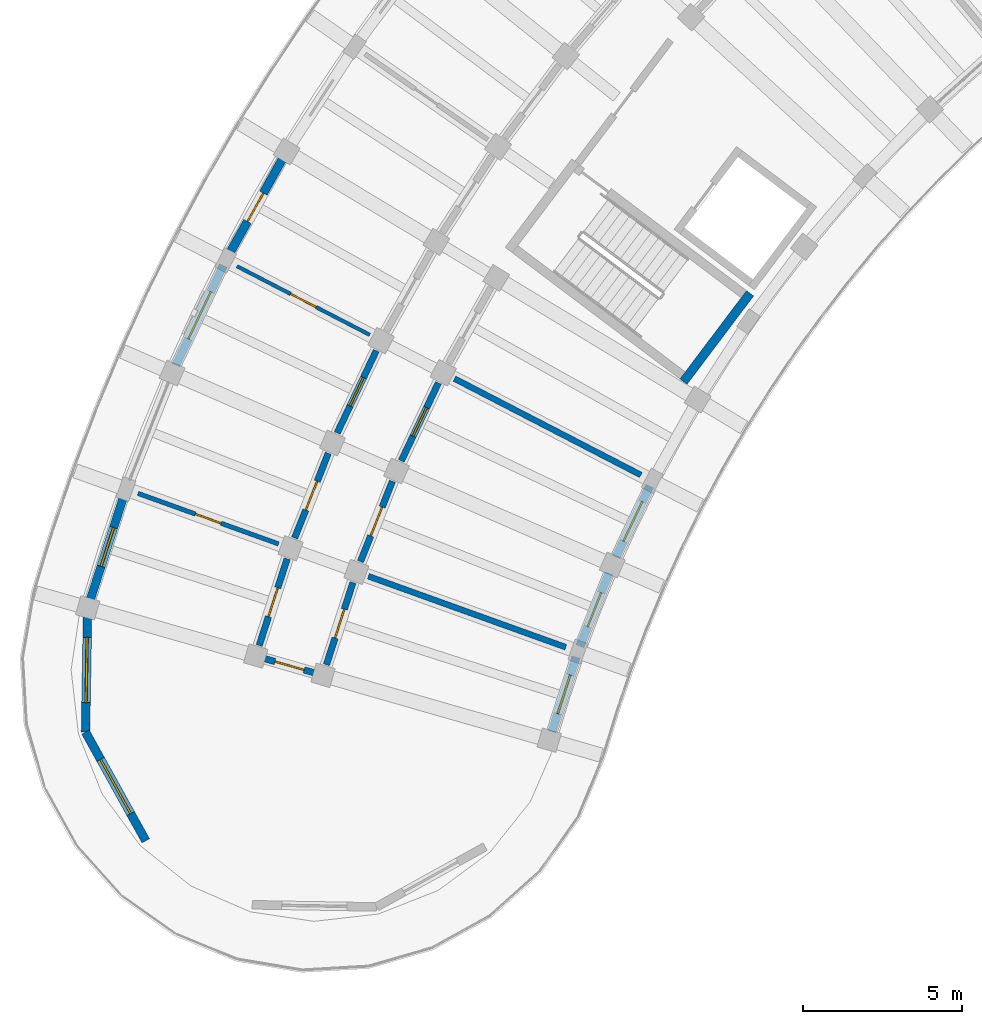
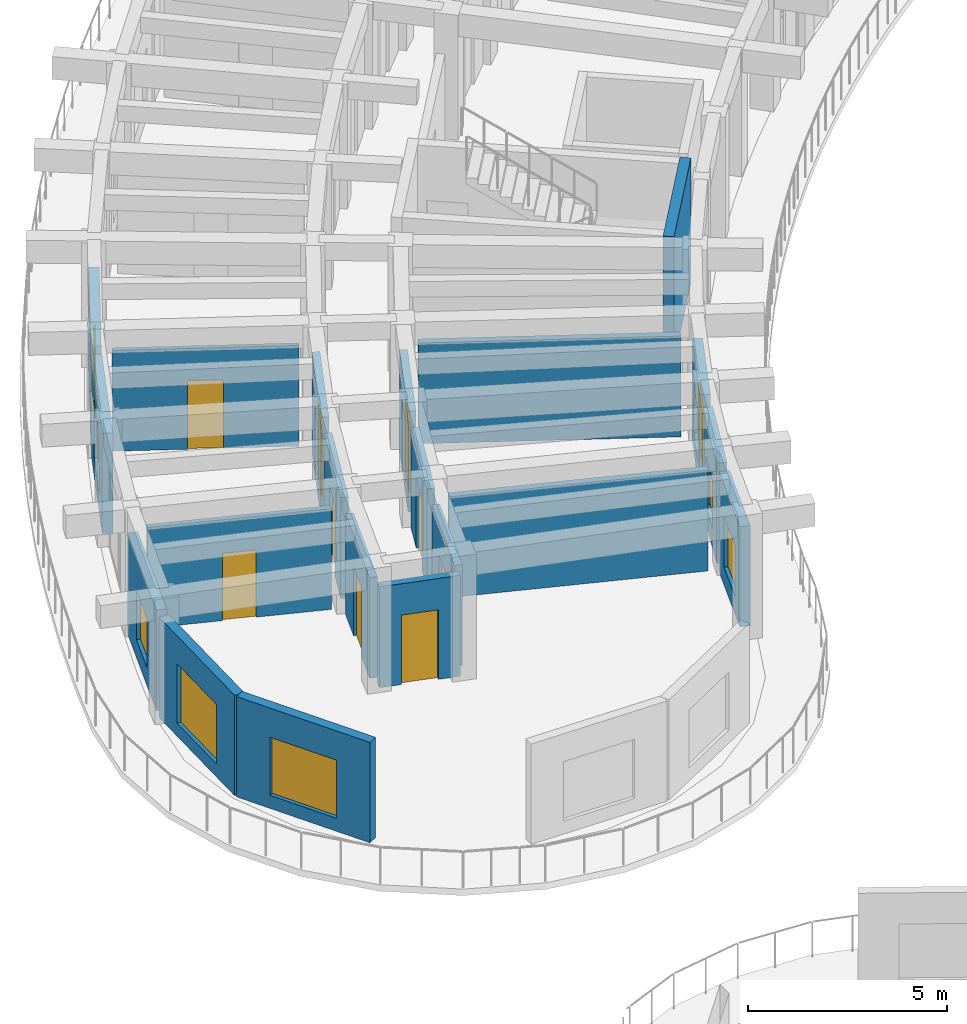
# One storey, part 87 of 128: 20 walls, 10 doors, 7 windows, 17 openings.
"""IFC4 building model written with IfcOpenShell, lengths in metres."""

from ifc_helpers import new_model, si_unit, direction, frame, frame_2d, origin, place, context, subcontext, project, spatial, rectangle, extrude, material, layer, layer_set, type_object, element, fill, save


model = new_model("IFC4")

# Units and contexts
model_context = context("Model", 3, precision=1e-05, world=origin(), true_north=direction((0.0, 1.0)))
body_context = subcontext(model_context, "Body", "Model", "MODEL_VIEW")
ifc_project = project(units=[si_unit("LENGTHUNIT", "METRE"), si_unit("AREAUNIT", "SQUARE_METRE"), si_unit("VOLUMEUNIT", "CUBIC_METRE"), si_unit("PLANEANGLEUNIT", "RADIAN"), si_unit("MASSUNIT", "GRAM", prefix="KILO")], contexts=[model_context])

# Site, building, storey
site_placement = place(None, origin())
site = spatial("IfcSite", under=ifc_project, at=site_placement, CompositionType="ELEMENT")
building_placement = place(site_placement, origin())
building = spatial("IfcBuilding", under=site, at=building_placement, Name="Tanwirah Colonnade Gardens", CompositionType="ELEMENT")
storey_placement = place(building_placement, frame((0.0, 0.0, 4.760009765625)))
storey = spatial("IfcBuildingStorey", under=building, at=storey_placement, Name="L01", CompositionType="ELEMENT", Elevation=4.760009765625)

# Wall, opening, door
ifc_material_1 = material(Name="Limestone architectural precast concrete C40/50", Category="masonry")
ifc_layer_1 = layer(ifc_material_1, 0.27001953125)
ifc_layer_set_1 = layer_set([ifc_layer_1], Name="Limestone architectural precast concrete C40/50")
wall_type_1 = type_object("IfcWallType", Name="EW-PC270", PredefinedType="SOLIDWALL", material=ifc_layer_set_1)
wall_1_placement = place(storey_placement, frame((13.878662109375, 90.72509765625, 0.0), z_axis=(0.0, 0.0, 1.0), x_axis=(-0.488236527441, -0.872711345905, 0.0)))
wall_1 = element("IfcWall", 1, at=wall_1_placement, inside=storey, type_object=wall_type_1, Name="Block A L01 OUT Precast Facade Wall 14", PredefinedType="SOLIDWALL", context=body_context, shape_type="SweptSolid", body=[
    extrude(rectangle(XDim=3.4658203125, YDim=0.27001953125, at=frame_2d((1.73291015625, 0.0))), origin(), (0.0, 0.0, 1.0), 3.074951171875),
])
opening_1_placement = place(wall_1_placement, frame((1.222900390625, 0.0, 0.0)))
opening_1 = element("IfcOpeningElement", 2, at=opening_1_placement, cuts=wall_1, Name="Opening L01-ED007", PredefinedType="OPENING", context=body_context, shape_type="SweptSolid", body=[
    extrude(rectangle(XDim=1.02001953125, YDim=2.139892578125, at=frame_2d((0.510009765625, 1.06982421875))), frame((0.0, 0.14501953125, 0.0), z_axis=(0.0, -1.0, 0.0), x_axis=(1.0, 0.0, 0.0)), (0.0, 0.0, 1.0), 0.2900390625),
])
ifc_material_2 = material(Name="Bronze aluminium glazed balcony door", Category="aluminium")
door_type_1 = type_object("IfcDoorType", Name="ED-BAL102", OperationType="NOTDEFINED", PredefinedType="DOOR", material=ifc_material_2)
door_1_placement = place(opening_1_placement, origin())
door_1 = element("IfcDoor", 3, at=door_1_placement, inside=storey, type_object=door_type_1, Name="Balcony glazed door L01-ED007", OperationType="SINGLE_SWING_RIGHT", OverallHeight=2.139892578125, OverallWidth=1.02001953125, PredefinedType="DOOR", context=body_context, shape_type="SweptSolid", body=[
    extrude(rectangle(XDim=1.02001953125, YDim=2.139892578125, at=frame_2d((0.510009765625, 1.06982421875))), frame((0.0, 0.02490234375, 0.0), z_axis=(0.0, -1.0, 0.0), x_axis=(1.0, 0.0, 0.0)), (0.0, 0.0, 1.0), 0.050048828125),
])
fill(opening_1, door_1)

# Wall, opening, window
wall_2_placement = place(storey_placement, frame((12.021484375, 87.380859375, 0.0), z_axis=(0.0, 0.0, 1.0), x_axis=(-0.4296300405, -0.903004999045, 0.0)))
wall_2 = element("IfcWall", 4, at=wall_2_placement, inside=storey, type_object=wall_type_1, Name="Block A L01 OUT Precast Facade Wall 15", PredefinedType="SOLIDWALL", context=body_context, shape_type="SweptSolid", body=[
    extrude(rectangle(XDim=3.4658203125, YDim=0.27001953125, at=frame_2d((1.73291015625, 0.0))), origin(), (0.0, 0.0, 1.0), 3.074951171875),
])
opening_2_placement = place(wall_2_placement, frame((0.90771484375, 0.0, 0.550048828125)))
opening_2 = element("IfcOpeningElement", 5, at=opening_2_placement, cuts=wall_2, Name="Opening WIN-T11", PredefinedType="OPENING", context=body_context, shape_type="SweptSolid", body=[
    extrude(rectangle(XDim=1.64990234375, YDim=1.800048828125, at=frame_2d((0.824951171875, 0.89990234375))), frame((0.0, 0.14501953125, 0.0), z_axis=(0.0, -1.0, 0.0), x_axis=(1.0, 0.0, 0.0)), (0.0, 0.0, 1.0), 0.2900390625),
])
ifc_material_3 = material(Name="Thermally broken bronze aluminium and solar low-E double glazing", Category="aluminium")
window_type_1 = type_object("IfcWindowType", Name="WIN-T11", PartitioningType="DOUBLE_PANEL_VERTICAL", PredefinedType="WINDOW", material=ifc_material_3)
window_1_placement = place(opening_2_placement, origin())
window_1 = element("IfcWindow", 6, at=window_1_placement, inside=storey, type_object=window_type_1, Name="Facade window A-L01-OUT-15", OverallHeight=1.800048828125, OverallWidth=1.64990234375, PartitioningType="SINGLE_PANEL", PredefinedType="WINDOW", context=body_context, shape_type="SweptSolid", body=[
    extrude(rectangle(XDim=1.64990234375, YDim=1.800048828125, at=frame_2d((0.824951171875, 0.89990234375))), frame((0.0, 0.030029296875, 0.0), z_axis=(0.0, -1.0, 0.0), x_axis=(1.0, 0.0, 0.0)), (0.0, 0.0, 1.0), 0.06005859375),
])
fill(opening_2, window_1)

wall_3_placement = place(storey_placement, frame((25.435546875, 80.447509765625, 0.0), z_axis=(0.0, 0.0, 1.0), x_axis=(-0.42961514119, -0.90301208766, 0.0)))
wall_3 = element("IfcWall", 7, at=wall_3_placement, inside=storey, type_object=wall_type_1, Name="Block A L01 IN Precast Facade Wall 15", PredefinedType="SOLIDWALL", context=body_context, shape_type="SweptSolid", body=[
    extrude(rectangle(XDim=2.47021484375, YDim=0.27001953125, at=frame_2d((1.235107421875, 0.0))), origin(), (0.0, 0.0, 1.0), 3.074951171875),
])
opening_3_placement = place(wall_3_placement, frame((0.545166015625, 0.0, 0.550048828125)))
opening_3 = element("IfcOpeningElement", 8, at=opening_3_placement, cuts=wall_3, Name="Opening WIN-T18", PredefinedType="OPENING", context=body_context, shape_type="SweptSolid", body=[
    extrude(rectangle(XDim=1.3798828125, YDim=1.56005859375, at=frame_2d((0.68994140625, 0.780029296875))), frame((0.0, 0.14501953125, 0.0), z_axis=(0.0, -1.0, 0.0), x_axis=(1.0, 0.0, 0.0)), (0.0, 0.0, 1.0), 0.2900390625),
])
window_type_2 = type_object("IfcWindowType", Name="WIN-T18", PartitioningType="DOUBLE_PANEL_VERTICAL", PredefinedType="WINDOW", material=ifc_material_3)
window_2_placement = place(opening_3_placement, origin())
window_2 = element("IfcWindow", 9, at=window_2_placement, inside=storey, type_object=window_type_2, Name="Facade window A-L01-IN-15", OverallHeight=1.56005859375, OverallWidth=1.3798828125, PartitioningType="SINGLE_PANEL", PredefinedType="WINDOW", context=body_context, shape_type="SweptSolid", body=[
    extrude(rectangle(XDim=1.3798828125, YDim=1.56005859375, at=frame_2d((0.68994140625, 0.780029296875))), frame((0.0, 0.030029296875, 0.0), z_axis=(0.0, -1.0, 0.0), x_axis=(1.0, 0.0, 0.0)), (0.0, 0.0, 1.0), 0.06005859375),
])
fill(opening_3, window_2)

wall_4_placement = place(storey_placement, frame((24.150390625, 77.70361328125, 0.0), z_axis=(0.0, 0.0, 1.0), x_axis=(-0.369157243617, -0.929366950932, 0.0)))
wall_4 = element("IfcWall", 10, at=wall_4_placement, inside=storey, type_object=wall_type_1, Name="Block A L01 IN Precast Facade Wall 16", PredefinedType="SOLIDWALL", context=body_context, shape_type="SweptSolid", body=[
    extrude(rectangle(XDim=2.47021484375, YDim=0.27001953125, at=frame_2d((1.235107421875, 0.0))), origin(), (0.0, 0.0, 1.0), 3.074951171875),
])
opening_4_placement = place(wall_4_placement, frame((0.655029296875, 0.0, 0.550048828125)))
opening_4 = element("IfcOpeningElement", 11, at=opening_4_placement, cuts=wall_4, Name="Opening WIN-U01", PredefinedType="OPENING", context=body_context, shape_type="SweptSolid", body=[
    extrude(rectangle(XDim=1.159912109375, YDim=1.485107421875, at=frame_2d((0.580078125, 0.74267578125))), frame((0.0, 0.14501953125, 0.0), z_axis=(0.0, -1.0, 0.0), x_axis=(1.0, 0.0, 0.0)), (0.0, 0.0, 1.0), 0.2900390625),
])
window_type_3 = type_object("IfcWindowType", Name="WIN-U01", PartitioningType="DOUBLE_PANEL_VERTICAL", PredefinedType="WINDOW", material=ifc_material_3)
window_3_placement = place(opening_4_placement, origin())
window_3 = element("IfcWindow", 12, at=window_3_placement, inside=storey, type_object=window_type_3, Name="Facade window A-L01-IN-16", OverallHeight=1.485107421875, OverallWidth=1.159912109375, PartitioningType="SINGLE_PANEL", PredefinedType="WINDOW", context=body_context, shape_type="SweptSolid", body=[
    extrude(rectangle(XDim=1.159912109375, YDim=1.485107421875, at=frame_2d((0.580078125, 0.74267578125))), frame((0.0, 0.030029296875, 0.0), z_axis=(0.0, -1.0, 0.0), x_axis=(1.0, 0.0, 0.0)), (0.0, 0.0, 1.0), 0.06005859375),
])
fill(opening_4, window_3)

wall_5_placement = place(storey_placement, frame((8.907470703125, 80.1787109375, 0.0), z_axis=(0.0, 0.0, 1.0), x_axis=(-0.30721065507, -0.951641536195, 0.0)))
wall_5 = element("IfcWall", 13, at=wall_5_placement, inside=storey, type_object=wall_type_1, Name="Block A L01 OUT Precast Facade Wall 17", PredefinedType="SOLIDWALL", context=body_context, shape_type="SweptSolid", body=[
    extrude(rectangle(XDim=3.465576171875, YDim=0.27001953125, at=frame_2d((1.73291015625, 0.0))), origin(), (0.0, 0.0, 1.0), 3.074951171875),
])
opening_5_placement = place(wall_5_placement, frame((1.093017578125, 0.0, 0.550048828125)))
opening_5 = element("IfcOpeningElement", 14, at=opening_5_placement, cuts=wall_5, Name="Opening WIN-T17", PredefinedType="OPENING", context=body_context, shape_type="SweptSolid", body=[
    extrude(rectangle(XDim=1.280029296875, YDim=1.52001953125, at=frame_2d((0.64013671875, 0.760009765625))), frame((0.0, 0.14501953125, 0.0), z_axis=(0.0, -1.0, 0.0), x_axis=(1.0, 0.0, 0.0)), (0.0, 0.0, 1.0), 0.2900390625),
])
window_type_4 = type_object("IfcWindowType", Name="WIN-T17", PartitioningType="SINGLE_PANEL", PredefinedType="WINDOW", material=ifc_material_3)
window_4_placement = place(opening_5_placement, origin())
window_4 = element("IfcWindow", 15, at=window_4_placement, inside=storey, type_object=window_type_4, Name="Facade window A-L01-OUT-17", OverallHeight=1.52001953125, OverallWidth=1.280029296875, PartitioningType="SINGLE_PANEL", PredefinedType="WINDOW", context=body_context, shape_type="SweptSolid", body=[
    extrude(rectangle(XDim=1.280029296875, YDim=1.52001953125, at=frame_2d((0.64013671875, 0.760009765625))), frame((0.0, 0.030029296875, 0.0), z_axis=(0.0, -1.0, 0.0), x_axis=(1.0, 0.0, 0.0)), (0.0, 0.0, 1.0), 0.06005859375),
])
fill(opening_5, window_4)

wall_6_placement = place(storey_placement, frame((23.11669921875, 75.0693359375, 0.0), z_axis=(0.0, 0.0, 1.0), x_axis=(-0.307170258834, -0.951654576035, 0.0)))
wall_6 = element("IfcWall", 16, at=wall_6_placement, inside=storey, type_object=wall_type_1, Name="Block A L01 IN Precast Facade Wall 17", PredefinedType="SOLIDWALL", context=body_context, shape_type="SweptSolid", body=[
    extrude(rectangle(XDim=2.47021484375, YDim=0.27001953125, at=frame_2d((1.235107421875, 0.0))), origin(), (0.0, 0.0, 1.0), 3.074951171875),
])
opening_6_placement = place(wall_6_placement, frame((0.59521484375, 0.0, 0.550048828125)))
opening_6 = element("IfcOpeningElement", 17, at=opening_6_placement, cuts=wall_6, Name="Opening WIN-U04", PredefinedType="OPENING", context=body_context, shape_type="SweptSolid", body=[
    extrude(rectangle(XDim=1.280029296875, YDim=1.56005859375, at=frame_2d((0.64013671875, 0.780029296875))), frame((0.0, 0.14501953125, 0.0), z_axis=(0.0, -1.0, 0.0), x_axis=(1.0, 0.0, 0.0)), (0.0, 0.0, 1.0), 0.2900390625),
])
window_type_5 = type_object("IfcWindowType", Name="WIN-U04", PartitioningType="DOUBLE_PANEL_VERTICAL", PredefinedType="WINDOW", material=ifc_material_3)
window_5_placement = place(opening_6_placement, origin())
window_5 = element("IfcWindow", 18, at=window_5_placement, inside=storey, type_object=window_type_5, Name="Facade window A-L01-IN-17", OverallHeight=1.56005859375, OverallWidth=1.280029296875, PartitioningType="SINGLE_PANEL", PredefinedType="WINDOW", context=body_context, shape_type="SweptSolid", body=[
    extrude(rectangle(XDim=1.280029296875, YDim=1.56005859375, at=frame_2d((0.64013671875, 0.780029296875))), frame((0.0, 0.030029296875, 0.0), z_axis=(0.0, -1.0, 0.0), x_axis=(1.0, 0.0, 0.0)), (0.0, 0.0, 1.0), 0.06005859375),
])
fill(opening_6, window_5)

wall_7_placement = place(storey_placement, frame((9.58349609375, 69.28857421875, 0.0), z_axis=(0.0, 0.0, 1.0), x_axis=(-0.484841794757, 0.874601871743, 0.0)))
wall_7 = element("IfcWall", 19, at=wall_7_placement, inside=storey, type_object=wall_type_1, Name="Block A L01 END Rounded End Wall 4", PredefinedType="SOLIDWALL", context=body_context, shape_type="SweptSolid", body=[
    extrude(rectangle(XDim=3.907958984375, YDim=0.27001953125, at=frame_2d((1.9541015625, 0.0))), origin(), (0.0, 0.0, 1.0), 3.074951171875),
])
opening_7_placement = place(wall_7_placement, frame((0.97900390625, 0.0, 0.39990234375)))
opening_7 = element("IfcOpeningElement", 20, at=opening_7_placement, cuts=wall_7, Name="Opening WIN-END2", PredefinedType="OPENING", context=body_context, shape_type="SweptSolid", body=[
    extrude(rectangle(XDim=1.949951171875, YDim=1.780029296875, at=frame_2d((0.97509765625, 0.89013671875))), frame((0.0, 0.14501953125, 0.0), z_axis=(0.0, -1.0, 0.0), x_axis=(1.0, 0.0, 0.0)), (0.0, 0.0, 1.0), 0.2900390625),
])
window_type_6 = type_object("IfcWindowType", Name="WIN-END2", PartitioningType="TRIPLE_PANEL_VERTICAL", PredefinedType="WINDOW", material=ifc_material_3)
window_6_placement = place(opening_7_placement, origin())
window_6 = element("IfcWindow", 21, at=window_6_placement, inside=storey, type_object=window_type_6, Name="Rounded corner window A-L01-END-4", OverallHeight=1.780029296875, OverallWidth=1.949951171875, PartitioningType="SINGLE_PANEL", PredefinedType="WINDOW", context=body_context, shape_type="SweptSolid", body=[
    extrude(rectangle(XDim=1.949951171875, YDim=1.780029296875, at=frame_2d((0.97509765625, 0.89013671875))), frame((0.0, 0.030029296875, 0.0), z_axis=(0.0, -1.0, 0.0), x_axis=(1.0, 0.0, 0.0)), (0.0, 0.0, 1.0), 0.06005859375),
])
fill(opening_7, window_6)

wall_8_placement = place(storey_placement, frame((7.688720703125, 72.70654296875, 0.0), z_axis=(0.0, 0.0, 1.0), x_axis=(0.017428315893, 0.999848115368, 0.0)))
wall_8 = element("IfcWall", 22, at=wall_8_placement, inside=storey, type_object=wall_type_1, Name="Block A L01 END Rounded End Wall 5", PredefinedType="SOLIDWALL", context=body_context, shape_type="SweptSolid", body=[
    extrude(rectangle(XDim=3.908203125, YDim=0.27001953125, at=frame_2d((1.9541015625, 0.0))), origin(), (0.0, 0.0, 1.0), 3.074951171875),
])
opening_8_placement = place(wall_8_placement, frame((0.92919921875, 0.0, 0.39990234375)))
opening_8 = element("IfcOpeningElement", 23, at=opening_8_placement, cuts=wall_8, Name="Opening WIN-END3", PredefinedType="OPENING", context=body_context, shape_type="SweptSolid", body=[
    extrude(rectangle(XDim=2.050048828125, YDim=1.820068359375, at=frame_2d((1.02490234375, 0.91015625))), frame((0.0, 0.14501953125, 0.0), z_axis=(0.0, -1.0, 0.0), x_axis=(1.0, 0.0, 0.0)), (0.0, 0.0, 1.0), 0.2900390625),
])
window_type_7 = type_object("IfcWindowType", Name="WIN-END3", PartitioningType="TRIPLE_PANEL_VERTICAL", PredefinedType="WINDOW", material=ifc_material_3)
window_7_placement = place(opening_8_placement, origin())
window_7 = element("IfcWindow", 24, at=window_7_placement, inside=storey, type_object=window_type_7, Name="Rounded corner window A-L01-END-5", OverallHeight=1.820068359375, OverallWidth=2.050048828125, PartitioningType="SINGLE_PANEL", PredefinedType="WINDOW", context=body_context, shape_type="SweptSolid", body=[
    extrude(rectangle(XDim=2.050048828125, YDim=1.820068359375, at=frame_2d((1.02490234375, 0.91015625))), frame((0.0, 0.030029296875, 0.0), z_axis=(0.0, -1.0, 0.0), x_axis=(1.0, 0.0, 0.0)), (0.0, 0.0, 1.0), 0.06005859375),
])
fill(opening_8, window_7)

# Wall, opening, door
ifc_material_4 = material(Name="Precast concrete C40/50", Category="concrete")
ifc_layer_2 = layer(ifc_material_4, 0.205078125)
ifc_layer_set_2 = layer_set([ifc_layer_2], Name="Precast concrete C40/50")
wall_type_2 = type_object("IfcWallType", Name="IW-CORR205", PredefinedType="PARTITIONING", material=ifc_layer_set_2)
wall_9_placement = place(storey_placement, frame((16.834228515625, 84.701904296875, 0.0), z_axis=(0.0, 0.0, 1.0), x_axis=(-0.429595933416, -0.90302122566, 0.0)))
wall_9 = element("IfcWall", 25, at=wall_9_placement, inside=storey, type_object=wall_type_2, Name="Block A L01 OUT Corridor Wall 15", PredefinedType="PARTITIONING", context=body_context, shape_type="SweptSolid", body=[
    extrude(rectangle(XDim=2.863037109375, YDim=0.205078125, at=frame_2d((1.431640625, 0.0))), origin(), (0.0, 0.0, 1.0), 3.090087890625),
])
opening_9_placement = place(wall_9_placement, frame((0.9365234375, 0.0, 0.0)))
opening_9 = element("IfcOpeningElement", 26, at=opening_9_placement, cuts=wall_9, Name="Opening L01-AD296", PredefinedType="OPENING", context=body_context, shape_type="SweptSolid", body=[
    extrude(rectangle(XDim=0.989990234375, YDim=2.159912109375, at=frame_2d((0.4951171875, 1.080078125))), frame((0.0, 0.112548828125, 0.0), z_axis=(0.0, -1.0, 0.0), x_axis=(1.0, 0.0, 0.0)), (0.0, 0.0, 1.0), 0.22509765625),
])
ifc_material_5 = material(Name="Solid oak fire-resisting apartment entrance door")
door_type_2 = type_object("IfcDoorType", Name="ID-FLT099", OperationType="NOTDEFINED", PredefinedType="DOOR", material=ifc_material_5)
door_2_placement = place(opening_9_placement, origin())
door_2 = element("IfcDoor", 27, at=door_2_placement, inside=storey, type_object=door_type_2, Name="Apartment corridor door L01-AD296", OperationType="SINGLE_SWING_LEFT", OverallHeight=2.159912109375, OverallWidth=0.989990234375, PredefinedType="DOOR", context=body_context, shape_type="SweptSolid", body=[
    extrude(rectangle(XDim=0.989990234375, YDim=2.159912109375, at=frame_2d((0.4951171875, 1.080078125))), frame((0.0, 0.02490234375, 0.0), z_axis=(0.0, -1.0, 0.0), x_axis=(1.0, 0.0, 0.0)), (0.0, 0.0, 1.0), 0.050048828125),
])
fill(opening_9, door_2)

wall_10_placement = place(storey_placement, frame((18.78857421875, 83.691650390625, 0.0), z_axis=(0.0, 0.0, 1.0), x_axis=(-0.429630211913, -0.90300491749, 0.0)))
wall_10 = element("IfcWall", 28, at=wall_10_placement, inside=storey, type_object=wall_type_2, Name="Block A L01 IN Corridor Wall 15", PredefinedType="PARTITIONING", context=body_context, shape_type="SweptSolid", body=[
    extrude(rectangle(XDim=2.718017578125, YDim=0.205078125, at=frame_2d((1.35888671875, 0.0))), origin(), (0.0, 0.0, 1.0), 3.090087890625),
])
opening_10_placement = place(wall_10_placement, frame((0.864013671875, 0.0, 0.0)))
opening_10 = element("IfcOpeningElement", 29, at=opening_10_placement, cuts=wall_10, Name="Opening L01-AD297", PredefinedType="OPENING", context=body_context, shape_type="SweptSolid", body=[
    extrude(rectangle(XDim=0.989990234375, YDim=2.159912109375, at=frame_2d((0.4951171875, 1.080078125))), frame((0.0, 0.112548828125, 0.0), z_axis=(0.0, -1.0, 0.0), x_axis=(1.0, 0.0, 0.0)), (0.0, 0.0, 1.0), 0.22509765625),
])
door_3_placement = place(opening_10_placement, origin())
door_3 = element("IfcDoor", 30, at=door_3_placement, inside=storey, type_object=door_type_2, Name="Apartment corridor door L01-AD297", OperationType="SINGLE_SWING_RIGHT", OverallHeight=2.159912109375, OverallWidth=0.989990234375, PredefinedType="DOOR", context=body_context, shape_type="SweptSolid", body=[
    extrude(rectangle(XDim=0.989990234375, YDim=2.159912109375, at=frame_2d((0.4951171875, 1.080078125))), frame((0.0, 0.02490234375, 0.0), z_axis=(0.0, -1.0, 0.0), x_axis=(1.0, 0.0, 0.0)), (0.0, 0.0, 1.0), 0.050048828125),
])
fill(opening_10, door_3)

wall_11_placement = place(storey_placement, frame((15.32470703125, 81.47509765625, 0.0), z_axis=(0.0, 0.0, 1.0), x_axis=(-0.369213832442, -0.929344471083, 0.0)))
wall_11 = element("IfcWall", 31, at=wall_11_placement, inside=storey, type_object=wall_type_2, Name="Block A L01 OUT Corridor Wall 16", PredefinedType="PARTITIONING", context=body_context, shape_type="SweptSolid", body=[
    extrude(rectangle(XDim=2.86328125, YDim=0.205078125, at=frame_2d((1.431640625, 0.0))), origin(), (0.0, 0.0, 1.0), 3.090087890625),
])
opening_11_placement = place(wall_11_placement, frame((0.946533203125, 0.0, 0.0)))
opening_11 = element("IfcOpeningElement", 32, at=opening_11_placement, cuts=wall_11, Name="Opening L01-AD298", PredefinedType="OPENING", context=body_context, shape_type="SweptSolid", body=[
    extrude(rectangle(XDim=0.969970703125, YDim=2.14990234375, at=frame_2d((0.48486328125, 1.074951171875))), frame((0.0, 0.112548828125, 0.0), z_axis=(0.0, -1.0, 0.0), x_axis=(1.0, 0.0, 0.0)), (0.0, 0.0, 1.0), 0.22509765625),
])
door_type_3 = type_object("IfcDoorType", Name="ID-FLT097", OperationType="NOTDEFINED", PredefinedType="DOOR", material=ifc_material_5)
door_4_placement = place(opening_11_placement, origin())
door_4 = element("IfcDoor", 33, at=door_4_placement, inside=storey, type_object=door_type_3, Name="Apartment corridor door L01-AD298", OperationType="SINGLE_SWING_RIGHT", OverallHeight=2.14990234375, OverallWidth=0.969970703125, PredefinedType="DOOR", context=body_context, shape_type="SweptSolid", body=[
    extrude(rectangle(XDim=0.969970703125, YDim=2.14990234375, at=frame_2d((0.48486328125, 1.074951171875))), frame((0.0, 0.02490234375, 0.0), z_axis=(0.0, -1.0, 0.0), x_axis=(1.0, 0.0, 0.0)), (0.0, 0.0, 1.0), 0.050048828125),
])
fill(opening_11, door_4)

wall_12_placement = place(storey_placement, frame((17.34130859375, 80.595947265625, 0.0), z_axis=(0.0, 0.0, 1.0), x_axis=(-0.369237170461, -0.929335198919, 0.0)))
wall_12 = element("IfcWall", 34, at=wall_12_placement, inside=storey, type_object=wall_type_2, Name="Block A L01 IN Corridor Wall 16", PredefinedType="PARTITIONING", context=body_context, shape_type="SweptSolid", body=[
    extrude(rectangle(XDim=2.71826171875, YDim=0.205078125, at=frame_2d((1.359130859375, 0.0))), origin(), (0.0, 0.0, 1.0), 3.090087890625),
])
opening_12_placement = place(wall_12_placement, frame((0.8740234375, 0.0, 0.0)))
opening_12 = element("IfcOpeningElement", 35, at=opening_12_placement, cuts=wall_12, Name="Opening L01-AD299", PredefinedType="OPENING", context=body_context, shape_type="SweptSolid", body=[
    extrude(rectangle(XDim=0.969970703125, YDim=2.14990234375, at=frame_2d((0.48486328125, 1.074951171875))), frame((0.0, 0.112548828125, 0.0), z_axis=(0.0, -1.0, 0.0), x_axis=(1.0, 0.0, 0.0)), (0.0, 0.0, 1.0), 0.22509765625),
])
door_5_placement = place(opening_12_placement, origin())
door_5 = element("IfcDoor", 36, at=door_5_placement, inside=storey, type_object=door_type_3, Name="Apartment corridor door L01-AD299", OperationType="SINGLE_SWING_LEFT", OverallHeight=2.14990234375, OverallWidth=0.969970703125, PredefinedType="DOOR", context=body_context, shape_type="SweptSolid", body=[
    extrude(rectangle(XDim=0.969970703125, YDim=2.14990234375, at=frame_2d((0.48486328125, 1.074951171875))), frame((0.0, 0.02490234375, 0.0), z_axis=(0.0, -1.0, 0.0), x_axis=(1.0, 0.0, 0.0)), (0.0, 0.0, 1.0), 0.050048828125),
])
fill(opening_12, door_5)

wall_13_placement = place(storey_placement, frame((14.03076171875, 78.156005859375, 0.0), z_axis=(0.0, 0.0, 1.0), x_axis=(-0.307132325305, -0.951666819193, 0.0)))
wall_13 = element("IfcWall", 37, at=wall_13_placement, inside=storey, type_object=wall_type_2, Name="Block A L01 OUT Corridor Wall 17", PredefinedType="PARTITIONING", context=body_context, shape_type="SweptSolid", body=[
    extrude(rectangle(XDim=2.86328125, YDim=0.205078125, at=frame_2d((1.431640625, 0.0))), origin(), (0.0, 0.0, 1.0), 3.090087890625),
])
opening_13_placement = place(wall_13_placement, frame((0.95654296875, 0.0, 0.0)))
opening_13 = element("IfcOpeningElement", 38, at=opening_13_placement, cuts=wall_13, Name="Opening L01-AD301", PredefinedType="OPENING", context=body_context, shape_type="SweptSolid", body=[
    extrude(rectangle(XDim=0.949951171875, YDim=2.1298828125, at=frame_2d((0.47509765625, 1.06494140625))), frame((0.0, 0.112548828125, 0.0), z_axis=(0.0, -1.0, 0.0), x_axis=(1.0, 0.0, 0.0)), (0.0, 0.0, 1.0), 0.22509765625),
])
door_type_4 = type_object("IfcDoorType", Name="ID-FLT095", OperationType="NOTDEFINED", PredefinedType="DOOR", material=ifc_material_5)
door_6_placement = place(opening_13_placement, origin())
door_6 = element("IfcDoor", 39, at=door_6_placement, inside=storey, type_object=door_type_4, Name="Apartment corridor door L01-AD301", OperationType="SINGLE_SWING_LEFT", OverallHeight=2.1298828125, OverallWidth=0.949951171875, PredefinedType="DOOR", context=body_context, shape_type="SweptSolid", body=[
    extrude(rectangle(XDim=0.949951171875, YDim=2.1298828125, at=frame_2d((0.47509765625, 1.06494140625))), frame((0.0, 0.02490234375, 0.0), z_axis=(0.0, -1.0, 0.0), x_axis=(1.0, 0.0, 0.0)), (0.0, 0.0, 1.0), 0.050048828125),
])
fill(opening_13, door_6)

wall_14_placement = place(storey_placement, frame((16.10107421875, 77.41162109375, 0.0), z_axis=(0.0, 0.0, 1.0), x_axis=(-0.307186478934, -0.95164934044, 0.0)))
wall_14 = element("IfcWall", 40, at=wall_14_placement, inside=storey, type_object=wall_type_2, Name="Block A L01 IN Corridor Wall 17", PredefinedType="PARTITIONING", context=body_context, shape_type="SweptSolid", body=[
    extrude(rectangle(XDim=2.718017578125, YDim=0.205078125, at=frame_2d((1.35888671875, 0.0))), origin(), (0.0, 0.0, 1.0), 3.090087890625),
])
opening_14_placement = place(wall_14_placement, frame((0.884033203125, 0.0, 0.0)))
opening_14 = element("IfcOpeningElement", 41, at=opening_14_placement, cuts=wall_14, Name="Opening L01-AD302", PredefinedType="OPENING", context=body_context, shape_type="SweptSolid", body=[
    extrude(rectangle(XDim=0.949951171875, YDim=2.1298828125, at=frame_2d((0.47509765625, 1.06494140625))), frame((0.0, 0.112548828125, 0.0), z_axis=(0.0, -1.0, 0.0), x_axis=(1.0, 0.0, 0.0)), (0.0, 0.0, 1.0), 0.22509765625),
])
door_7_placement = place(opening_14_placement, origin())
door_7 = element("IfcDoor", 42, at=door_7_placement, inside=storey, type_object=door_type_4, Name="Apartment corridor door L01-AD302", OperationType="SINGLE_SWING_RIGHT", OverallHeight=2.1298828125, OverallWidth=0.949951171875, PredefinedType="DOOR", context=body_context, shape_type="SweptSolid", body=[
    extrude(rectangle(XDim=0.949951171875, YDim=2.1298828125, at=frame_2d((0.47509765625, 1.06494140625))), frame((0.0, 0.02490234375, 0.0), z_axis=(0.0, -1.0, 0.0), x_axis=(1.0, 0.0, 0.0)), (0.0, 0.0, 1.0), 0.050048828125),
])
fill(opening_14, door_7)

wall_15_placement = place(storey_placement, frame((15.110595703125, 74.505615234375, 0.0), z_axis=(0.0, 0.0, 1.0), x_axis=(-0.961264701934, 0.275626872449, 0.0)))
wall_15 = element("IfcWall", 43, at=wall_15_placement, inside=storey, type_object=wall_type_2, Name="Block A L01 CE Corner Suite Corridor Wall", PredefinedType="PARTITIONING", context=body_context, shape_type="SweptSolid", body=[
    extrude(rectangle(XDim=2.10009765625, YDim=0.205078125, at=frame_2d((1.050048828125, 0.0))), origin(), (0.0, 0.0, 1.0), 3.090087890625),
])
opening_15_placement = place(wall_15_placement, frame((0.570068359375, 0.0, 0.0)))
opening_15 = element("IfcOpeningElement", 44, at=opening_15_placement, cuts=wall_15, Name="Opening L01-CD304", PredefinedType="OPENING", context=body_context, shape_type="SweptSolid", body=[
    extrude(rectangle(XDim=0.949951171875, YDim=2.1298828125, at=frame_2d((0.47509765625, 1.06494140625))), frame((0.0, 0.112548828125, 0.0), z_axis=(0.0, -1.0, 0.0), x_axis=(1.0, 0.0, 0.0)), (0.0, 0.0, 1.0), 0.22509765625),
])
door_8_placement = place(opening_15_placement, origin())
door_8 = element("IfcDoor", 45, at=door_8_placement, inside=storey, type_object=door_type_4, Name="Corner suite entrance door L01-CD304", OperationType="SINGLE_SWING_RIGHT", OverallHeight=2.1298828125, OverallWidth=0.949951171875, PredefinedType="DOOR", context=body_context, shape_type="SweptSolid", body=[
    extrude(rectangle(XDim=0.949951171875, YDim=2.1298828125, at=frame_2d((0.47509765625, 1.06494140625))), frame((0.0, 0.02490234375, 0.0), z_axis=(0.0, -1.0, 0.0), x_axis=(1.0, 0.0, 0.0)), (0.0, 0.0, 1.0), 0.050048828125),
])
fill(opening_15, door_8)

# Walls
ifc_layer_3 = layer(ifc_material_4, 0.18505859375)
ifc_layer_set_3 = layer_set([ifc_layer_3], Name="Precast concrete C40/50")
wall_type_3 = type_object("IfcWallType", Name="IW-DEM185", PredefinedType="PARTITIONING", material=ifc_layer_set_3)
wall_16_placement = place(storey_placement, frame((25.157470703125, 80.793701171875, 0.0), z_axis=(0.0, 0.0, 1.0), x_axis=(-0.888346696024, 0.459173330741, 0.0)))
element("IfcWall", 46, at=wall_16_placement, inside=storey, type_object=wall_type_3, Name="Block A L01 Inner Radial Partition 14", PredefinedType="PARTITIONING", context=body_context, shape_type="SweptSolid", body=[
    extrude(rectangle(XDim=6.599853515625, YDim=0.18505859375, at=frame_2d((3.2998046875, 0.0))), origin(), (0.0, 0.0, 1.0), 3.090087890625),
])
wall_17_placement = place(storey_placement, frame((22.795654296875, 75.3759765625, 0.0), z_axis=(0.0, 0.0, 1.0), x_axis=(-0.941005714099, 0.338390670725, 0.0)))
element("IfcWall", 47, at=wall_17_placement, inside=storey, type_object=wall_type_3, Name="Block A L01 Inner Radial Partition 16", PredefinedType="PARTITIONING", context=body_context, shape_type="SweptSolid", body=[
    extrude(rectangle(XDim=6.60009765625, YDim=0.18505859375, at=frame_2d((3.300048828125, 0.0))), origin(), (0.0, 0.0, 1.0), 3.090087890625),
])

# Wall, opening, door
ifc_material_6 = material(Name="Acoustic gypsum stud partition")
ifc_layer_4 = layer(ifc_material_6, 0.114990234375)
ifc_layer_set_4 = layer_set([ifc_layer_4], Name="Acoustic gypsum stud partition")
wall_type_4 = type_object("IfcWallType", Name="IW-INT115", PredefinedType="PARTITIONING", material=ifc_layer_set_4)
wall_18_placement = place(storey_placement, frame((16.62939453125, 85.20166015625, 0.0), z_axis=(0.0, 0.0, 1.0), x_axis=(-0.88836305433, 0.459141681512, 0.0)))
wall_18 = element("IfcWall", 48, at=wall_18_placement, inside=storey, type_object=wall_type_4, Name="Block A L01 Radial Partition 14", PredefinedType="PARTITIONING", context=body_context, shape_type="SweptSolid", body=[
    extrude(rectangle(XDim=4.699951171875, YDim=0.114990234375, at=frame_2d((2.35009765625, 0.0))), origin(), (0.0, 0.0, 1.0), 3.090087890625),
])
opening_16_placement = place(wall_18_placement, frame((1.89501953125, 0.0, 0.0)))
opening_16 = element("IfcOpeningElement", 49, at=opening_16_placement, cuts=wall_18, Name="Opening L01-RD295", PredefinedType="OPENING", context=body_context, shape_type="SweptSolid", body=[
    extrude(rectangle(XDim=0.909912109375, YDim=2.10009765625, at=frame_2d((0.455078125, 1.050048828125))), frame((0.0, 0.0673828125, 0.0), z_axis=(0.0, -1.0, 0.0), x_axis=(1.0, 0.0, 0.0)), (0.0, 0.0, 1.0), 0.135009765625),
])
ifc_material_7 = material(Name="Painted hardwood internal room door", Category="wood")
door_type_5 = type_object("IfcDoorType", Name="ID-RM091", OperationType="NOTDEFINED", PredefinedType="DOOR", material=ifc_material_7)
door_9_placement = place(opening_16_placement, origin())
door_9 = element("IfcDoor", 50, at=door_9_placement, inside=storey, type_object=door_type_5, Name="Internal apartment door L01-RD295", OperationType="SINGLE_SWING_RIGHT", OverallHeight=2.10009765625, OverallWidth=0.909912109375, PredefinedType="DOOR", context=body_context, shape_type="SweptSolid", body=[
    extrude(rectangle(XDim=0.909912109375, YDim=2.10009765625, at=frame_2d((0.455078125, 1.050048828125))), frame((0.0, 0.02490234375, 0.0), z_axis=(0.0, -1.0, 0.0), x_axis=(1.0, 0.0, 0.0)), (0.0, 0.0, 1.0), 0.050048828125),
])
fill(opening_16, door_9)

ifc_material_8 = material(Name="Water-resistant acoustic plumbing partition")
ifc_layer_5 = layer(ifc_material_8, 0.139892578125)
ifc_layer_set_5 = layer_set([ifc_layer_5], Name="Water-resistant acoustic plumbing partition")
wall_type_5 = type_object("IfcWallType", Name="IW-WET140", PredefinedType="PLUMBINGWALL", material=ifc_layer_set_5)
wall_19_placement = place(storey_placement, frame((13.761962890625, 78.62451171875, 0.0), z_axis=(0.0, 0.0, 1.0), x_axis=(-0.941015806044, 0.338362605463, 0.0)))
wall_19 = element("IfcWall", 51, at=wall_19_placement, inside=storey, type_object=wall_type_5, Name="Block A L01 Radial Partition 16", PredefinedType="PLUMBINGWALL", context=body_context, shape_type="SweptSolid", body=[
    extrude(rectangle(XDim=4.7001953125, YDim=0.139892578125, at=frame_2d((2.35009765625, 0.0))), origin(), (0.0, 0.0, 1.0), 3.090087890625),
])
opening_17_placement = place(wall_19_placement, frame((1.919921875, 0.0, 0.0)))
opening_17 = element("IfcOpeningElement", 52, at=opening_17_placement, cuts=wall_19, Name="Opening L01-RD300", PredefinedType="OPENING", context=body_context, shape_type="SweptSolid", body=[
    extrude(rectangle(XDim=0.860107421875, YDim=2.06005859375, at=frame_2d((0.43017578125, 1.030029296875))), frame((0.0, 0.079833984375, 0.0), z_axis=(0.0, -1.0, 0.0), x_axis=(1.0, 0.0, 0.0)), (0.0, 0.0, 1.0), 0.159912109375),
])
ifc_material_9 = material(Name="Moisture-resistant bathroom door")
door_type_6 = type_object("IfcDoorType", Name="ID-WET086", OperationType="NOTDEFINED", PredefinedType="DOOR", material=ifc_material_9)
door_10_placement = place(opening_17_placement, origin())
door_10 = element("IfcDoor", 53, at=door_10_placement, inside=storey, type_object=door_type_6, Name="Internal apartment door L01-RD300", OperationType="SINGLE_SWING_RIGHT", OverallHeight=2.06005859375, OverallWidth=0.860107421875, PredefinedType="DOOR", context=body_context, shape_type="SweptSolid", body=[
    extrude(rectangle(XDim=0.860107421875, YDim=2.06005859375, at=frame_2d((0.43017578125, 1.030029296875))), frame((0.0, 0.02490234375, 0.0), z_axis=(0.0, -1.0, 0.0), x_axis=(1.0, 0.0, 0.0)), (0.0, 0.0, 1.0), 0.050048828125),
])
fill(opening_17, door_10)

# Wall
ifc_material_10 = material(Name="Concrete C45/55", Category="concrete")
ifc_layer_6 = layer(ifc_material_10, 0.280029296875)
ifc_layer_set_6 = layer_set([ifc_layer_6], Name="Concrete C45/55")
wall_type_6 = type_object("IfcWallType", Name="SW-CORE280", PredefinedType="SHEAR", material=ifc_layer_set_6)
wall_20_placement = place(storey_placement, frame((26.497314453125, 83.7294921875, 0.0), z_axis=(0.0, 0.0, 1.0), x_axis=(0.601794470585, 0.798650997102, 0.0)))
element("IfcWall", 54, at=wall_20_placement, inside=storey, type_object=wall_type_6, Name="CORE-A2 L01 Stair Shaft Shear Wall FAR", PredefinedType="SHEAR", context=body_context, shape_type="SweptSolid", body=[
    extrude(rectangle(XDim=3.47998046875, YDim=0.280029296875, at=frame_2d((1.739990234375, 0.0))), origin(), (0.0, 0.0, 1.0), 3.830078125),
])

save(model, "model.ifc")
